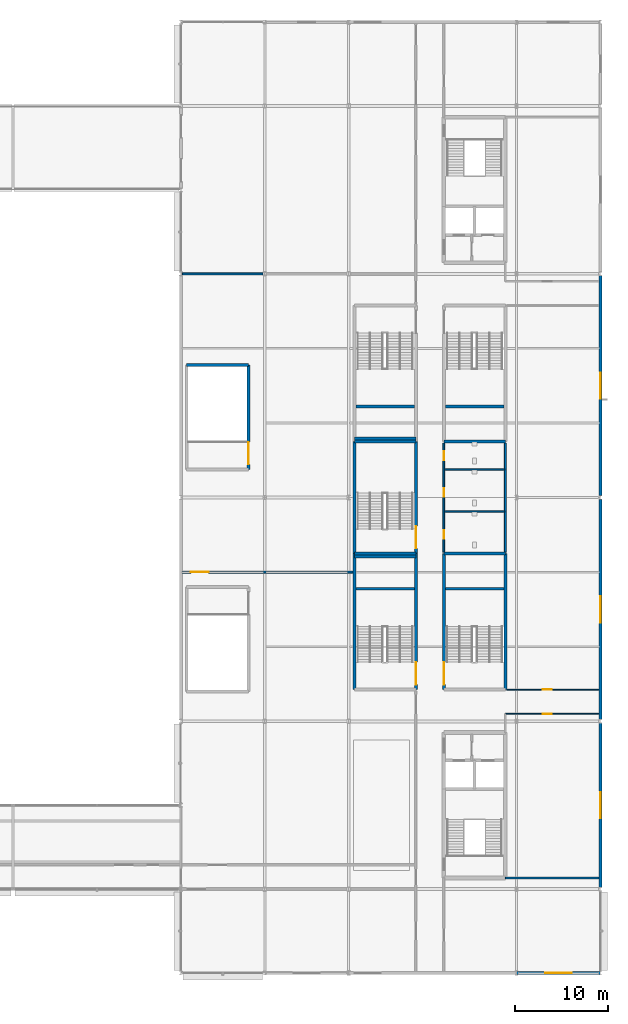
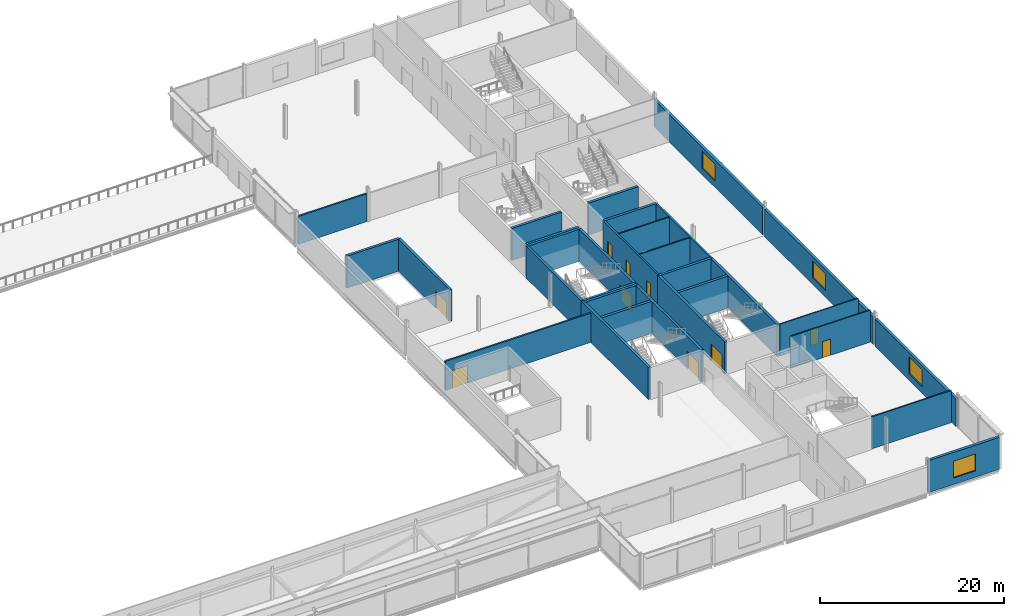
# One storey, part 44 of 73: 31 walls, 10 doors, 4 windows, 14 openings.
"""IFC4 building model written with IfcOpenShell, lengths in metres."""

from ifc_helpers import new_model, si_unit, direction, frame, frame_2d, origin, place, context, subcontext, project, spatial, rectangle, extrude, material, layer, layer_set, type_object, element, fill, save


model = new_model("IFC4")

# Units and contexts
model_context = context("Model", 3, precision=1e-05, world=origin(), true_north=direction((0.0, 1.0)))
body_context = subcontext(model_context, "Body", "Model", "MODEL_VIEW")
ifc_project = project(units=[si_unit("LENGTHUNIT", "METRE"), si_unit("AREAUNIT", "SQUARE_METRE"), si_unit("VOLUMEUNIT", "CUBIC_METRE"), si_unit("PLANEANGLEUNIT", "RADIAN"), si_unit("MASSUNIT", "GRAM", prefix="KILO")], contexts=[model_context])

# Site, building, storey
site_placement = place(None, origin())
site = spatial("IfcSite", under=ifc_project, at=site_placement, CompositionType="ELEMENT")
building_placement = place(site_placement, origin())
building = spatial("IfcBuilding", under=site, at=building_placement, Name="Kisiwana Market Hall", CompositionType="ELEMENT")
storey_placement = place(building_placement, frame((0.0, 0.0, 33.300048828125)))
storey = spatial("IfcBuildingStorey", under=building, at=storey_placement, Name="L07", CompositionType="ELEMENT", Elevation=33.300048828125)

# Wall
ifc_material_1 = material(Name="Masonry blockwork", Category="masonry")
ifc_layer_1 = layer(ifc_material_1, 0.199951171875, Name="Plastered fire compartment block wall")
ifc_layer_set_1 = layer_set([ifc_layer_1], Name="WL-COMP-200")
wall_type_1 = type_object("IfcWallType", Name="WL-COMP-200", PredefinedType="PARTITIONING", material=ifc_layer_set_1)
wall_1_placement = place(storey_placement, frame((187.800048828125, 54.159912109375, 0.0), z_axis=(0.0, 0.0, 1.0), x_axis=(0.0, 1.0, 0.0)))
element("IfcWall", 1, at=wall_1_placement, inside=storey, type_object=wall_type_1, Name="Interior partition W-2233", PredefinedType="PARTITIONING", context=body_context, shape_type="SweptSolid", body=[
    extrude(rectangle(XDim=11.68017578125, YDim=0.199951171875, at=frame_2d((5.840087890625, 0.0))), origin(), (0.0, 0.0, 1.0), 4.2548828125),
])

# Wall, openings, doors
wall_2_placement = place(storey_placement, frame((181.199951171875, 54.159912109375, 0.0), z_axis=(0.0, 0.0, 1.0), x_axis=(0.0, 1.0, 0.0)))
wall_2 = element("IfcWall", 2, at=wall_2_placement, inside=storey, type_object=wall_type_1, Name="Interior partition W-2234", PredefinedType="PARTITIONING", context=body_context, shape_type="SweptSolid", body=[
    extrude(rectangle(XDim=11.68017578125, YDim=0.199951171875, at=frame_2d((5.840087890625, 0.0))), origin(), (0.0, 0.0, 1.0), 4.2548828125),
])
opening_1_placement = place(wall_2_placement, frame((1.43994140625, 0.0, 0.0)))
opening_1 = element("IfcOpeningElement", 3, at=opening_1_placement, cuts=wall_2, Name="Opening DR-L07-046", PredefinedType="OPENING", context=body_context, shape_type="SweptSolid", body=[
    extrude(rectangle(XDim=0.89990234375, YDim=2.10009765625, at=frame_2d((0.449951171875, 1.050048828125))), frame((0.0, 0.11181640625, 0.0), z_axis=(0.0, -1.0, 0.0), x_axis=(1.0, 0.0, 0.0)), (0.0, 0.0, 1.0), 0.223876953125),
])
opening_2_placement = place(wall_2_placement, frame((5.93994140625, 0.0, 0.0)))
opening_2 = element("IfcOpeningElement", 4, at=opening_2_placement, cuts=wall_2, Name="Opening DR-L07-047", PredefinedType="OPENING", context=body_context, shape_type="SweptSolid", body=[
    extrude(rectangle(XDim=0.89990234375, YDim=2.10009765625, at=frame_2d((0.449951171875, 1.050048828125))), frame((0.0, 0.11181640625, 0.0), z_axis=(0.0, -1.0, 0.0), x_axis=(1.0, 0.0, 0.0)), (0.0, 0.0, 1.0), 0.223876953125),
])
opening_3_placement = place(wall_2_placement, frame((9.840087890625, 0.0, 0.0)))
opening_3 = element("IfcOpeningElement", 5, at=opening_3_placement, cuts=wall_2, Name="Opening DR-L07-048", PredefinedType="OPENING", context=body_context, shape_type="SweptSolid", body=[
    extrude(rectangle(XDim=0.949951171875, YDim=2.10009765625, at=frame_2d((0.47509765625, 1.050048828125))), frame((0.0, 0.11181640625, 0.0), z_axis=(0.0, -1.0, 0.0), x_axis=(1.0, 0.0, 0.0)), (0.0, 0.0, 1.0), 0.223876953125),
])
ifc_material_2 = material(Name="Aluminium alloy 6063-T6", Category="aluminium")
door_type_1 = type_object("IfcDoorType", Name="DR-WC-ACC-950", OperationType="NOTDEFINED", PredefinedType="DOOR", material=ifc_material_2)
door_1_placement = place(opening_3_placement, frame((0.949951171875, 0.0, 0.0), z_axis=(0.0, 0.0, 1.0), x_axis=(-1.0, 0.0, 0.0)))
door_1 = element("IfcDoor", 6, at=door_1_placement, inside=storey, type_object=door_type_1, Name="L07 E Accessible WC Door", OperationType="SINGLE_SWING_LEFT", OverallHeight=2.10009765625, OverallWidth=0.949951171875, PredefinedType="DOOR", context=body_context, shape_type="SweptSolid", body=[
    extrude(rectangle(XDim=0.949951171875, YDim=2.10009765625, at=frame_2d((0.47509765625, 1.050048828125))), frame((0.0, 0.02490234375, 0.0), z_axis=(0.0, -1.0, 0.0), x_axis=(1.0, 0.0, 0.0)), (0.0, 0.0, 1.0), 0.050048828125),
])
fill(opening_3, door_1)
ifc_material_3 = material(Name="Aluminium alloy 6063-T6", Category="aluminium")
door_type_2 = type_object("IfcDoorType", Name="DR-WC-STD-900", OperationType="NOTDEFINED", PredefinedType="DOOR", material=ifc_material_3)
door_2_placement = place(opening_1_placement, frame((0.89990234375, 0.0, 0.0), z_axis=(0.0, 0.0, 1.0), x_axis=(-1.0, 0.0, 0.0)))
door_2 = element("IfcDoor", 7, at=door_2_placement, inside=storey, type_object=door_type_2, Name="L07 E Male Toilet Door", OperationType="SINGLE_SWING_RIGHT", OverallHeight=2.10009765625, OverallWidth=0.89990234375, PredefinedType="DOOR", context=body_context, shape_type="SweptSolid", body=[
    extrude(rectangle(XDim=0.89990234375, YDim=2.10009765625, at=frame_2d((0.449951171875, 1.050048828125))), frame((0.0, 0.02490234375, 0.0), z_axis=(0.0, -1.0, 0.0), x_axis=(1.0, 0.0, 0.0)), (0.0, 0.0, 1.0), 0.050048828125),
])
fill(opening_1, door_2)
door_3_placement = place(opening_2_placement, frame((0.89990234375, 0.0, 0.0), z_axis=(0.0, 0.0, 1.0), x_axis=(-1.0, 0.0, 0.0)))
door_3 = element("IfcDoor", 8, at=door_3_placement, inside=storey, type_object=door_type_2, Name="L07 E Female Toilet Door", OperationType="SINGLE_SWING_LEFT", OverallHeight=2.10009765625, OverallWidth=0.89990234375, PredefinedType="DOOR", context=body_context, shape_type="SweptSolid", body=[
    extrude(rectangle(XDim=0.89990234375, YDim=2.10009765625, at=frame_2d((0.449951171875, 1.050048828125))), frame((0.0, 0.02490234375, 0.0), z_axis=(0.0, -1.0, 0.0), x_axis=(1.0, 0.0, 0.0)), (0.0, 0.0, 1.0), 0.050048828125),
])
fill(opening_2, door_3)

# Wall, opening, door
wall_3_placement = place(storey_placement, frame((153.169921875, 52.0, 0.0), z_axis=(0.0, 0.0, 1.0), x_axis=(1.0, 0.0, 0.0)))
wall_3 = element("IfcWall", 9, at=wall_3_placement, inside=storey, type_object=wall_type_1, Name="Interior partition W-2251", PredefinedType="PARTITIONING", context=body_context, shape_type="SweptSolid", body=[
    extrude(rectangle(XDim=18.27001953125, YDim=0.199951171875, at=frame_2d((9.135009765625, 0.0))), origin(), (0.0, 0.0, 1.0), 3.868408203125),
])
opening_4_placement = place(wall_3_placement, frame((0.909912109375, 0.0, 0.0)))
opening_4 = element("IfcOpeningElement", 10, at=opening_4_placement, cuts=wall_3, Name="Opening DR-L07-056", PredefinedType="OPENING", context=body_context, shape_type="SweptSolid", body=[
    extrude(rectangle(XDim=1.89990234375, YDim=2.35009765625, at=frame_2d((0.949951171875, 1.175048828125))), frame((0.0, 0.11181640625, 0.0), z_axis=(0.0, -1.0, 0.0), x_axis=(1.0, 0.0, 0.0)), (0.0, 0.0, 1.0), 0.223876953125),
])
ifc_material_4 = material(Name="Steel S275", Category="steel")
door_type_3 = type_object("IfcDoorType", Name="DR-HALL-1900", OperationType="DOUBLE_DOOR_SINGLE_SWING", PredefinedType="DOOR", material=ifc_material_4)
door_4_placement = place(opening_4_placement, origin())
door_4 = element("IfcDoor", 11, at=door_4_placement, inside=storey, type_object=door_type_3, Name="L07 E Town-Hall Briefing Room Exit Door", OperationType="DOUBLE_DOOR_SINGLE_SWING", OverallHeight=2.35009765625, OverallWidth=1.89990234375, PredefinedType="DOOR", context=body_context, shape_type="SweptSolid", body=[
    extrude(rectangle(XDim=1.89990234375, YDim=2.35009765625, at=frame_2d((0.949951171875, 1.175048828125))), frame((0.0, 0.02490234375, 0.0), z_axis=(0.0, -1.0, 0.0), x_axis=(1.0, 0.0, 0.0)), (0.0, 0.0, 1.0), 0.050048828125),
])
fill(opening_4, door_4)

# Walls
wall_4_placement = place(storey_placement, frame((153.169921875, 84.0, 0.0), z_axis=(0.0, 0.0, 1.0), x_axis=(1.0, 0.0, 0.0)))
element("IfcWall", 12, at=wall_4_placement, inside=storey, type_object=wall_type_1, Name="Interior partition W-2252", PredefinedType="PARTITIONING", context=body_context, shape_type="SweptSolid", body=[
    extrude(rectangle(XDim=8.630126953125, YDim=0.199951171875, at=frame_2d((4.31494140625, 0.0))), origin(), (0.0, 0.0, 1.0), 3.71484375),
])
ifc_material_5 = material(Name="Concrete C40/50", Category="concrete")
ifc_layer_2 = layer(ifc_material_5, 0.320068359375, Name="Reinforced concrete shaft wall")
ifc_layer_set_2 = layer_set([ifc_layer_2], Name="WL-CORE-320")
wall_type_2 = type_object("IfcWallType", Name="WL-CORE-320", PredefinedType="SHEAR", material=ifc_layer_set_2)
wall_5_placement = place(storey_placement, frame((181.199951171875, 54.0, 0.0), z_axis=(0.0, 0.0, 1.0), x_axis=(1.0, 0.0, 0.0)))
element("IfcWall", 13, at=wall_5_placement, inside=storey, type_object=wall_type_2, Name="Core E3 north shear wall W-2125", PredefinedType="SHEAR", context=body_context, shape_type="SweptSolid", body=[
    extrude(rectangle(XDim=6.60009765625, YDim=0.320068359375, at=frame_2d((3.300048828125, 0.0))), origin(), (0.0, 0.0, 1.0), 4.2548828125),
])

# Wall, opening, door
wall_6_placement = place(storey_placement, frame((181.199951171875, 39.39990234375, 0.0), z_axis=(0.0, 0.0, 1.0), x_axis=(0.0, 1.0, 0.0)))
wall_6 = element("IfcWall", 14, at=wall_6_placement, inside=storey, type_object=wall_type_2, Name="Core E3 corridor shear wall W-2126", PredefinedType="SHEAR", context=body_context, shape_type="SweptSolid", body=[
    extrude(rectangle(XDim=14.60009765625, YDim=0.320068359375, at=frame_2d((7.300048828125, 0.0))), origin(), (0.0, 0.0, 1.0), 4.2548828125),
])
opening_5_placement = place(wall_6_placement, frame((0.550048828125, 0.0, 0.0)))
opening_5 = element("IfcOpeningElement", 15, at=opening_5_placement, cuts=wall_6, Name="Opening DR-L07-015", PredefinedType="OPENING", context=body_context, shape_type="SweptSolid", body=[
    extrude(rectangle(XDim=2.39990234375, YDim=2.25, at=frame_2d((1.199951171875, 1.125))), frame((0.0, 0.171875, 0.0), z_axis=(0.0, -1.0, 0.0), x_axis=(1.0, 0.0, 0.0)), (0.0, 0.0, 1.0), 0.343994140625),
])
ifc_material_6 = material(Name="Steel S275", Category="steel")
door_type_4 = type_object("IfcDoorType", Name="DR-STAIR-FD120-2400", OperationType="DOUBLE_DOOR_SINGLE_SWING", PredefinedType="DOOR", material=ifc_material_6)
door_5_placement = place(opening_5_placement, frame((2.39990234375, 0.0, 0.0), z_axis=(0.0, 0.0, 1.0), x_axis=(-1.0, 0.0, 0.0)))
door_5 = element("IfcDoor", 16, at=door_5_placement, inside=storey, type_object=door_type_4, Name="Escape Stair E3 Fire Door (L07)", OperationType="DOUBLE_DOOR_SINGLE_SWING", OverallHeight=2.25, OverallWidth=2.39990234375, PredefinedType="DOOR", context=body_context, shape_type="SweptSolid", body=[
    extrude(rectangle(XDim=2.39990234375, YDim=2.25, at=frame_2d((1.199951171875, 1.125))), frame((0.0, 0.02490234375, 0.0), z_axis=(0.0, -1.0, 0.0), x_axis=(1.0, 0.0, 0.0)), (0.0, 0.0, 1.0), 0.050048828125),
])
fill(opening_5, door_5)

# Walls
wall_7_placement = place(storey_placement, frame((187.800048828125, 39.39990234375, 0.0), z_axis=(0.0, 0.0, 1.0), x_axis=(0.0, 1.0, 0.0)))
element("IfcWall", 17, at=wall_7_placement, inside=storey, type_object=wall_type_2, Name="Core E3 outer shear wall W-2127", PredefinedType="SHEAR", context=body_context, shape_type="SweptSolid", body=[
    extrude(rectangle(XDim=14.60009765625, YDim=0.320068359375, at=frame_2d((7.300048828125, 0.0))), origin(), (0.0, 0.0, 1.0), 4.2548828125),
])
wall_8_placement = place(storey_placement, frame((181.360107421875, 50.219970703125, 0.0), z_axis=(0.0, 0.0, 1.0), x_axis=(1.0, 0.0, 0.0)))
element("IfcWall", 18, at=wall_8_placement, inside=storey, type_object=wall_type_2, Name="Core E3 riser divider shear wall W-2128", PredefinedType="SHEAR", context=body_context, shape_type="SweptSolid", body=[
    extrude(rectangle(XDim=6.27978515625, YDim=0.320068359375, at=frame_2d((3.139892578125, 0.0))), origin(), (0.0, 0.0, 1.0), 4.2548828125),
])
wall_9_placement = place(storey_placement, frame((181.199951171875, 66.0, 0.0), z_axis=(0.0, 0.0, 1.0), x_axis=(1.0, 0.0, 0.0)))
element("IfcWall", 19, at=wall_9_placement, inside=storey, type_object=wall_type_2, Name="Core E4 south shear wall W-2129", PredefinedType="SHEAR", context=body_context, shape_type="SweptSolid", body=[
    extrude(rectangle(XDim=6.60009765625, YDim=0.320068359375, at=frame_2d((3.300048828125, 0.0))), origin(), (0.0, 0.0, 1.0), 4.2548828125),
])
wall_10_placement = place(storey_placement, frame((181.360107421875, 69.780029296875, 0.0), z_axis=(0.0, 0.0, 1.0), x_axis=(1.0, 0.0, 0.0)))
element("IfcWall", 20, at=wall_10_placement, inside=storey, type_object=wall_type_2, Name="Core E4 riser divider shear wall W-2133", PredefinedType="SHEAR", context=body_context, shape_type="SweptSolid", body=[
    extrude(rectangle(XDim=6.27978515625, YDim=0.320068359375, at=frame_2d((3.139892578125, 0.0))), origin(), (0.0, 0.0, 1.0), 4.2548828125),
])
wall_11_placement = place(storey_placement, frame((171.60009765625, 54.0, 0.0), z_axis=(0.0, 0.0, 1.0), x_axis=(1.0, 0.0, 0.0)))
element("IfcWall", 21, at=wall_11_placement, inside=storey, type_object=wall_type_2, Name="Core E7 north shear wall W-2140", PredefinedType="SHEAR", context=body_context, shape_type="SweptSolid", body=[
    extrude(rectangle(XDim=6.599853515625, YDim=0.320068359375, at=frame_2d((3.2998046875, 0.0))), origin(), (0.0, 0.0, 1.0), 4.2548828125),
])
wall_12_placement = place(storey_placement, frame((171.60009765625, 39.39990234375, 0.0), z_axis=(0.0, 0.0, 1.0), x_axis=(0.0, 1.0, 0.0)))
element("IfcWall", 22, at=wall_12_placement, inside=storey, type_object=wall_type_2, Name="Core E7 outer shear wall W-2141", PredefinedType="SHEAR", context=body_context, shape_type="SweptSolid", body=[
    extrude(rectangle(XDim=14.60009765625, YDim=0.320068359375, at=frame_2d((7.300048828125, 0.0))), origin(), (0.0, 0.0, 1.0), 4.2548828125),
])

# Wall, opening, door
wall_13_placement = place(storey_placement, frame((178.199951171875, 39.39990234375, 0.0), z_axis=(0.0, 0.0, 1.0), x_axis=(0.0, 1.0, 0.0)))
wall_13 = element("IfcWall", 23, at=wall_13_placement, inside=storey, type_object=wall_type_2, Name="Core E7 corridor shear wall W-2142", PredefinedType="SHEAR", context=body_context, shape_type="SweptSolid", body=[
    extrude(rectangle(XDim=14.60009765625, YDim=0.320068359375, at=frame_2d((7.300048828125, 0.0))), origin(), (0.0, 0.0, 1.0), 4.2548828125),
])
opening_6_placement = place(wall_13_placement, frame((0.550048828125, 0.0, 0.0)))
opening_6 = element("IfcOpeningElement", 24, at=opening_6_placement, cuts=wall_13, Name="Opening DR-L07-018", PredefinedType="OPENING", context=body_context, shape_type="SweptSolid", body=[
    extrude(rectangle(XDim=2.39990234375, YDim=2.25, at=frame_2d((1.199951171875, 1.125))), frame((0.0, 0.171875, 0.0), z_axis=(0.0, -1.0, 0.0), x_axis=(1.0, 0.0, 0.0)), (0.0, 0.0, 1.0), 0.343994140625),
])
door_6_placement = place(opening_6_placement, origin())
door_6 = element("IfcDoor", 25, at=door_6_placement, inside=storey, type_object=door_type_4, Name="Escape Stair E7 Fire Door (L07)", OperationType="DOUBLE_DOOR_SINGLE_SWING", OverallHeight=2.25, OverallWidth=2.39990234375, PredefinedType="DOOR", context=body_context, shape_type="SweptSolid", body=[
    extrude(rectangle(XDim=2.39990234375, YDim=2.25, at=frame_2d((1.199951171875, 1.125))), frame((0.0, 0.02490234375, 0.0), z_axis=(0.0, -1.0, 0.0), x_axis=(1.0, 0.0, 0.0)), (0.0, 0.0, 1.0), 0.050048828125),
])
fill(opening_6, door_6)

# Walls
wall_14_placement = place(storey_placement, frame((171.760009765625, 50.219970703125, 0.0), z_axis=(0.0, 0.0, 1.0), x_axis=(1.0, 0.0, 0.0)))
element("IfcWall", 26, at=wall_14_placement, inside=storey, type_object=wall_type_2, Name="Core E7 riser divider shear wall W-2143", PredefinedType="SHEAR", context=body_context, shape_type="SweptSolid", body=[
    extrude(rectangle(XDim=6.280029296875, YDim=0.320068359375, at=frame_2d((3.14013671875, 0.0))), origin(), (0.0, 0.0, 1.0), 4.2548828125),
])
wall_15_placement = place(storey_placement, frame((171.60009765625, 66.0, 0.0), z_axis=(0.0, 0.0, 1.0), x_axis=(1.0, 0.0, 0.0)))
element("IfcWall", 27, at=wall_15_placement, inside=storey, type_object=wall_type_2, Name="Core E8 south shear wall W-2149", PredefinedType="SHEAR", context=body_context, shape_type="SweptSolid", body=[
    extrude(rectangle(XDim=6.599853515625, YDim=0.320068359375, at=frame_2d((3.2998046875, 0.0))), origin(), (0.0, 0.0, 1.0), 4.2548828125),
])
wall_16_placement = place(storey_placement, frame((171.760009765625, 69.780029296875, 0.0), z_axis=(0.0, 0.0, 1.0), x_axis=(1.0, 0.0, 0.0)))
element("IfcWall", 28, at=wall_16_placement, inside=storey, type_object=wall_type_2, Name="Core E8 riser divider shear wall W-2153", PredefinedType="SHEAR", context=body_context, shape_type="SweptSolid", body=[
    extrude(rectangle(XDim=6.280029296875, YDim=0.320068359375, at=frame_2d((3.14013671875, 0.0))), origin(), (0.0, 0.0, 1.0), 4.2548828125),
])
wall_17_placement = place(storey_placement, frame((153.6298828125, 74.199951171875, 0.0), z_axis=(0.0, 0.0, 1.0), x_axis=(1.0, 0.0, 0.0)))
element("IfcWall", 29, at=wall_17_placement, inside=storey, type_object=wall_type_2, Name="Core E10 north shear wall W-2167", PredefinedType="SHEAR", context=body_context, shape_type="SweptSolid", body=[
    extrude(rectangle(XDim=6.60009765625, YDim=0.320068359375, at=frame_2d((3.300048828125, 0.0))), origin(), (0.0, 0.0, 1.0), 4.2548828125),
])

# Wall, opening, door
wall_18_placement = place(storey_placement, frame((160.22998046875, 63.0, 0.0), z_axis=(0.0, 0.0, 1.0), x_axis=(0.0, 1.0, 0.0)))
wall_18 = element("IfcWall", 30, at=wall_18_placement, inside=storey, type_object=wall_type_2, Name="Core E10 corridor shear wall W-2169", PredefinedType="SHEAR", context=body_context, shape_type="SweptSolid", body=[
    extrude(rectangle(XDim=11.199951171875, YDim=0.320068359375, at=frame_2d((5.60009765625, 0.0))), origin(), (0.0, 0.0, 1.0), 4.2548828125),
])
opening_7_placement = place(wall_18_placement, frame((0.550048828125, 0.0, 0.0)))
opening_7 = element("IfcOpeningElement", 31, at=opening_7_placement, cuts=wall_18, Name="Opening DR-L07-024", PredefinedType="OPENING", context=body_context, shape_type="SweptSolid", body=[
    extrude(rectangle(XDim=2.39990234375, YDim=2.25, at=frame_2d((1.199951171875, 1.125))), frame((0.0, 0.171875, 0.0), z_axis=(0.0, -1.0, 0.0), x_axis=(1.0, 0.0, 0.0)), (0.0, 0.0, 1.0), 0.343994140625),
])
door_7_placement = place(opening_7_placement, origin())
door_7 = element("IfcDoor", 32, at=door_7_placement, inside=storey, type_object=door_type_4, Name="Escape Stair E10 Fire Door (L07)", OperationType="DOUBLE_DOOR_SINGLE_SWING", OverallHeight=2.25, OverallWidth=2.39990234375, PredefinedType="DOOR", context=body_context, shape_type="SweptSolid", body=[
    extrude(rectangle(XDim=2.39990234375, YDim=2.25, at=frame_2d((1.199951171875, 1.125))), frame((0.0, 0.02490234375, 0.0), z_axis=(0.0, -1.0, 0.0), x_axis=(1.0, 0.0, 0.0)), (0.0, 0.0, 1.0), 0.050048828125),
])
fill(opening_7, door_7)

# Walls
for number, where, z_axis, x_axis, name in (
    (33, (171.60009765625, 53.679931640625, 0.0), (0.0, 0.0, 1.0), (1.0, 0.0, 0.0), "Core E5 south shear wall W-2174"),
    (34, (171.60009765625, 66.320068359375, 0.0), (0.0, 0.0, 1.0), (1.0, 0.0, 0.0), "Core E5 north shear wall W-2175"),
):
    element("IfcWall", number, at=place(storey_placement, frame(where, z_axis=z_axis, x_axis=x_axis)), inside=storey, type_object=wall_type_2, Name=name, PredefinedType="SHEAR", context=body_context, shape_type="SweptSolid", body=[
        extrude(rectangle(XDim=6.599853515625, YDim=0.320068359375, at=frame_2d((3.2998046875, 0.0))), origin(), (0.0, 0.0, 1.0), 4.2548828125),
    ])
wall_19_placement = place(storey_placement, frame((171.60009765625, 54.0, 0.0), z_axis=(0.0, 0.0, 1.0), x_axis=(0.0, 1.0, 0.0)))
element("IfcWall", 35, at=wall_19_placement, inside=storey, type_object=wall_type_2, Name="Core E5 outer shear wall W-2176", PredefinedType="SHEAR", context=body_context, shape_type="SweptSolid", body=[
    extrude(rectangle(XDim=12.0, YDim=0.320068359375, at=frame_2d((6.0, 0.0))), origin(), (0.0, 0.0, 1.0), 4.2548828125),
])

# Wall, opening, door
wall_20_placement = place(storey_placement, frame((178.199951171875, 54.0, 0.0), z_axis=(0.0, 0.0, 1.0), x_axis=(0.0, 1.0, 0.0)))
wall_20 = element("IfcWall", 36, at=wall_20_placement, inside=storey, type_object=wall_type_2, Name="Core E5 corridor shear wall W-2177", PredefinedType="SHEAR", context=body_context, shape_type="SweptSolid", body=[
    extrude(rectangle(XDim=12.0, YDim=0.320068359375, at=frame_2d((6.0, 0.0))), origin(), (0.0, 0.0, 1.0), 4.2548828125),
])
opening_8_placement = place(wall_20_placement, frame((0.550048828125, 0.0, 0.0)))
opening_8 = element("IfcOpeningElement", 37, at=opening_8_placement, cuts=wall_20, Name="Opening DR-L07-026", PredefinedType="OPENING", context=body_context, shape_type="SweptSolid", body=[
    extrude(rectangle(XDim=2.39990234375, YDim=2.25, at=frame_2d((1.199951171875, 1.125))), frame((0.0, 0.171875, 0.0), z_axis=(0.0, -1.0, 0.0), x_axis=(1.0, 0.0, 0.0)), (0.0, 0.0, 1.0), 0.343994140625),
])
door_8_placement = place(opening_8_placement, origin())
door_8 = element("IfcDoor", 38, at=door_8_placement, inside=storey, type_object=door_type_4, Name="Escape Stair E5 Fire Door (L07)", OperationType="DOUBLE_DOOR_SINGLE_SWING", OverallHeight=2.25, OverallWidth=2.39990234375, PredefinedType="DOOR", context=body_context, shape_type="SweptSolid", body=[
    extrude(rectangle(XDim=2.39990234375, YDim=2.25, at=frame_2d((1.199951171875, 1.125))), frame((0.0, 0.02490234375, 0.0), z_axis=(0.0, -1.0, 0.0), x_axis=(1.0, 0.0, 0.0)), (0.0, 0.0, 1.0), 0.050048828125),
])
fill(opening_8, door_8)

# Wall
ifc_material_7 = material(Name="Masonry blockwork", Category="masonry")
ifc_layer_3 = layer(ifc_material_7, 0.169921875, Name="Protected corridor partition")
ifc_layer_set_3 = layer_set([ifc_layer_3], Name="WL-CORR-170")
wall_type_3 = type_object("IfcWallType", Name="WL-CORR-170", PredefinedType="PARTITIONING", material=ifc_layer_set_3)
wall_21_placement = place(storey_placement, frame((187.800048828125, 19.199951171875, 0.0), z_axis=(0.0, 0.0, 1.0), x_axis=(1.0, 0.0, 0.0)))
element("IfcWall", 39, at=wall_21_placement, inside=storey, type_object=wall_type_3, Name="Interior partition W-2239", PredefinedType="PARTITIONING", context=body_context, shape_type="SweptSolid", body=[
    extrude(rectangle(XDim=10.030029296875, YDim=0.169921875, at=frame_2d((5.01513671875, 0.0))), origin(), (0.0, 0.0, 1.0), 4.2548828125),
])

# Wall, opening, window
ifc_material_8 = material(Name="Concrete C40/50 precast", Category="concrete")
ifc_layer_4 = layer(ifc_material_8, 0.14990234375, Name="Precast architectural concrete spandrel")
ifc_material_9 = material(Name="Mineral wool insulation")
ifc_layer_5 = layer(ifc_material_9, 0.090087890625, Name="Rockwool thermal insulation")
ifc_material_10 = material(Name="Masonry blockwork", Category="masonry")
ifc_layer_6 = layer(ifc_material_10, 0.10009765625, Name="Inner masonry block leaf")
ifc_layer_set_4 = layer_set([ifc_layer_4, ifc_layer_5, ifc_layer_6], Name="WL-EXT-PREC-340")
wall_type_4 = type_object("IfcWallType", Name="WL-EXT-PREC-340", PredefinedType="STANDARD", material=ifc_layer_set_4)
wall_22_placement = place(storey_placement, frame((189.010009765625, 9.0, 0.0), z_axis=(0.0, 0.0, 1.0), x_axis=(1.0, 0.0, 0.0)))
wall_22 = element("IfcWall", 40, at=wall_22_placement, inside=storey, type_object=wall_type_4, Name="Exterior wall W-2182", PredefinedType="STANDARD", context=body_context, shape_type="SweptSolid", body=[
    extrude(rectangle(XDim=8.97998046875, YDim=0.340087890625, at=frame_2d((4.489990234375, 0.0))), origin(), (0.0, 0.0, 1.0), 4.2548828125),
])
opening_9_placement = place(wall_22_placement, frame((3.090087890625, 0.0, 0.85009765625)))
opening_9 = element("IfcOpeningElement", 41, at=opening_9_placement, cuts=wall_22, Name="Opening WN-03", PredefinedType="OPENING", context=body_context, shape_type="SweptSolid", body=[
    extrude(rectangle(XDim=2.800048828125, YDim=2.25, at=frame_2d((1.39990234375, 1.125))), frame((0.0, 0.18212890625, 0.0), z_axis=(0.0, -1.0, 0.0), x_axis=(1.0, 0.0, 0.0)), (0.0, 0.0, 1.0), 0.364013671875),
])
ifc_material_11 = material(Name="Double-glazed solar-control low-E IGU", Category="glass")
window_type = type_object("IfcWindowType", Name="WN-SKYB-2800x2250", PartitioningType="SINGLE_PANEL", PredefinedType="WINDOW", material=ifc_material_11)
window_1_placement = place(opening_9_placement, origin())
window_1 = element("IfcWindow", 42, at=window_1_placement, inside=storey, type_object=window_type, Name="Exterior window WN-214", OverallHeight=2.25, OverallWidth=2.800048828125, PartitioningType="SINGLE_PANEL", PredefinedType="WINDOW", context=body_context, shape_type="SweptSolid", body=[
    extrude(rectangle(XDim=2.800048828125, YDim=2.25, at=frame_2d((1.39990234375, 1.125))), frame((0.0, 0.030029296875, 0.0), z_axis=(0.0, -1.0, 0.0), x_axis=(1.0, 0.0, 0.0)), (0.0, 0.0, 1.0), 0.06005859375),
])
fill(opening_9, window_1)

wall_23_placement = place(storey_placement, frame((198.0, 18.197998046875, 0.0), z_axis=(0.0, 0.0, 1.0), x_axis=(0.0, 1.0, 0.0)))
wall_23 = element("IfcWall", 43, at=wall_23_placement, inside=storey, type_object=wall_type_4, Name="Exterior wall W-2199", PredefinedType="STANDARD", context=body_context, shape_type="SweptSolid", body=[
    extrude(rectangle(XDim=17.60400390625, YDim=0.340087890625, at=frame_2d((8.802001953125, 0.0))), origin(), (0.0, 0.0, 1.0), 3.642822265625),
])
opening_10_placement = place(wall_23_placement, frame((7.402099609375, 0.0, 0.85009765625)))
opening_10 = element("IfcOpeningElement", 44, at=opening_10_placement, cuts=wall_23, Name="Opening WN-03", PredefinedType="OPENING", context=body_context, shape_type="SweptSolid", body=[
    extrude(rectangle(XDim=2.800048828125, YDim=2.25, at=frame_2d((1.39990234375, 1.125))), frame((0.0, 0.18212890625, 0.0), z_axis=(0.0, -1.0, 0.0), x_axis=(1.0, 0.0, 0.0)), (0.0, 0.0, 1.0), 0.364013671875),
])
window_2_placement = place(opening_10_placement, origin())
window_2 = element("IfcWindow", 45, at=window_2_placement, inside=storey, type_object=window_type, Name="Exterior window WN-223", OverallHeight=2.25, OverallWidth=2.800048828125, PartitioningType="SINGLE_PANEL", PredefinedType="WINDOW", context=body_context, shape_type="SweptSolid", body=[
    extrude(rectangle(XDim=2.800048828125, YDim=2.25, at=frame_2d((1.39990234375, 1.125))), frame((0.0, 0.030029296875, 0.0), z_axis=(0.0, -1.0, 0.0), x_axis=(1.0, 0.0, 0.0)), (0.0, 0.0, 1.0), 0.06005859375),
])
fill(opening_10, window_2)

wall_24_placement = place(storey_placement, frame((198.0, 36.197998046875, 0.0), z_axis=(0.0, 0.0, 1.0), x_axis=(0.0, 1.0, 0.0)))
wall_24 = element("IfcWall", 46, at=wall_24_placement, inside=storey, type_object=wall_type_4, Name="Exterior wall W-2200", PredefinedType="STANDARD", context=body_context, shape_type="SweptSolid", body=[
    extrude(rectangle(XDim=23.60400390625, YDim=0.340087890625, at=frame_2d((11.802001953125, 0.0))), origin(), (0.0, 0.0, 1.0), 3.642822265625),
])
opening_11_placement = place(wall_24_placement, frame((10.402099609375, 0.0, 0.85009765625)))
opening_11 = element("IfcOpeningElement", 47, at=opening_11_placement, cuts=wall_24, Name="Opening WN-03", PredefinedType="OPENING", context=body_context, shape_type="SweptSolid", body=[
    extrude(rectangle(XDim=2.800048828125, YDim=2.25, at=frame_2d((1.39990234375, 1.125))), frame((0.0, 0.18212890625, 0.0), z_axis=(0.0, -1.0, 0.0), x_axis=(1.0, 0.0, 0.0)), (0.0, 0.0, 1.0), 0.364013671875),
])
window_3_placement = place(opening_11_placement, origin())
window_3 = element("IfcWindow", 48, at=window_3_placement, inside=storey, type_object=window_type, Name="Exterior window WN-224", OverallHeight=2.25, OverallWidth=2.800048828125, PartitioningType="SINGLE_PANEL", PredefinedType="WINDOW", context=body_context, shape_type="SweptSolid", body=[
    extrude(rectangle(XDim=2.800048828125, YDim=2.25, at=frame_2d((1.39990234375, 1.125))), frame((0.0, 0.030029296875, 0.0), z_axis=(0.0, -1.0, 0.0), x_axis=(1.0, 0.0, 0.0)), (0.0, 0.0, 1.0), 0.06005859375),
])
fill(opening_11, window_3)

wall_25_placement = place(storey_placement, frame((198.0, 60.197998046875, 0.0), z_axis=(0.0, 0.0, 1.0), x_axis=(0.0, 1.0, 0.0)))
wall_25 = element("IfcWall", 49, at=wall_25_placement, inside=storey, type_object=wall_type_4, Name="Exterior wall W-2201", PredefinedType="STANDARD", context=body_context, shape_type="SweptSolid", body=[
    extrude(rectangle(XDim=23.60400390625, YDim=0.340087890625, at=frame_2d((11.802001953125, 0.0))), origin(), (0.0, 0.0, 1.0), 3.642822265625),
])
opening_12_placement = place(wall_25_placement, frame((10.402099609375, 0.0, 0.85009765625)))
opening_12 = element("IfcOpeningElement", 50, at=opening_12_placement, cuts=wall_25, Name="Opening WN-03", PredefinedType="OPENING", context=body_context, shape_type="SweptSolid", body=[
    extrude(rectangle(XDim=2.800048828125, YDim=2.25, at=frame_2d((1.39990234375, 1.125))), frame((0.0, 0.18212890625, 0.0), z_axis=(0.0, -1.0, 0.0), x_axis=(1.0, 0.0, 0.0)), (0.0, 0.0, 1.0), 0.364013671875),
])
window_4_placement = place(opening_12_placement, origin())
window_4 = element("IfcWindow", 51, at=window_4_placement, inside=storey, type_object=window_type, Name="Exterior window WN-225", OverallHeight=2.25, OverallWidth=2.800048828125, PartitioningType="SINGLE_PANEL", PredefinedType="WINDOW", context=body_context, shape_type="SweptSolid", body=[
    extrude(rectangle(XDim=2.800048828125, YDim=2.25, at=frame_2d((1.39990234375, 1.125))), frame((0.0, 0.030029296875, 0.0), z_axis=(0.0, -1.0, 0.0), x_axis=(1.0, 0.0, 0.0)), (0.0, 0.0, 1.0), 0.06005859375),
])
fill(opening_12, window_4)

# Wall, opening, door
ifc_material_12 = material(Name="Gypsum plasterboard")
ifc_layer_7 = layer(ifc_material_12, 0.125, Name="Double gypsum board + acoustic stud")
ifc_layer_set_5 = layer_set([ifc_layer_7], Name="WL-OFF-125")
wall_type_5 = type_object("IfcWallType", Name="WL-OFF-125", PredefinedType="PARTITIONING", material=ifc_layer_set_5)
wall_26_placement = place(storey_placement, frame((187.800048828125, 36.800048828125, 0.0), z_axis=(0.0, 0.0, 1.0), x_axis=(1.0, 0.0, 0.0)))
wall_26 = element("IfcWall", 52, at=wall_26_placement, inside=storey, type_object=wall_type_5, Name="Interior partition W-2241", PredefinedType="PARTITIONING", context=body_context, shape_type="SweptSolid", body=[
    extrude(rectangle(XDim=10.030029296875, YDim=0.125, at=frame_2d((5.01513671875, 0.0))), origin(), (0.0, 0.0, 1.0), 4.2548828125),
])
opening_13_placement = place(wall_26_placement, frame((4.0, 0.0, 0.0)))
opening_13 = element("IfcOpeningElement", 53, at=opening_13_placement, cuts=wall_26, Name="Opening DR-L07-049", PredefinedType="OPENING", context=body_context, shape_type="SweptSolid", body=[
    extrude(rectangle(XDim=1.0, YDim=2.14990234375, at=frame_2d((0.5, 1.074951171875))), frame((0.0, 0.074462890625, 0.0), z_axis=(0.0, -1.0, 0.0), x_axis=(1.0, 0.0, 0.0)), (0.0, 0.0, 1.0), 0.14892578125),
])
ifc_material_13 = material(Name="Aluminium alloy 6063-T6", Category="aluminium")
door_type_5 = type_object("IfcDoorType", Name="DR-OFF-1000", OperationType="NOTDEFINED", PredefinedType="DOOR", material=ifc_material_13)
door_9_placement = place(opening_13_placement, frame((1.0, 0.0, 0.0), z_axis=(0.0, 0.0, 1.0), x_axis=(-1.0, 0.0, 0.0)))
door_9 = element("IfcDoor", 54, at=door_9_placement, inside=storey, type_object=door_type_5, Name="L07 E Commercial Office South Door", OperationType="SINGLE_SWING_RIGHT", OverallHeight=2.14990234375, OverallWidth=1.0, PredefinedType="DOOR", context=body_context, shape_type="SweptSolid", body=[
    extrude(rectangle(XDim=1.0, YDim=2.14990234375, at=frame_2d((0.5, 1.074951171875))), frame((0.0, 0.02490234375, 0.0), z_axis=(0.0, -1.0, 0.0), x_axis=(1.0, 0.0, 0.0)), (0.0, 0.0, 1.0), 0.050048828125),
])
fill(opening_13, door_9)

wall_27_placement = place(storey_placement, frame((187.9599609375, 39.39990234375, 0.0), z_axis=(0.0, 0.0, 1.0), x_axis=(1.0, 0.0, 0.0)))
wall_27 = element("IfcWall", 55, at=wall_27_placement, inside=storey, type_object=wall_type_5, Name="Interior partition W-2242", PredefinedType="PARTITIONING", context=body_context, shape_type="SweptSolid", body=[
    extrude(rectangle(XDim=9.8701171875, YDim=0.125, at=frame_2d((4.93505859375, 0.0))), origin(), (0.0, 0.0, 1.0), 4.2548828125),
])
opening_14_placement = place(wall_27_placement, frame((3.840087890625, 0.0, 0.0)))
opening_14 = element("IfcOpeningElement", 56, at=opening_14_placement, cuts=wall_27, Name="Opening DR-L07-050", PredefinedType="OPENING", context=body_context, shape_type="SweptSolid", body=[
    extrude(rectangle(XDim=1.0, YDim=2.14990234375, at=frame_2d((0.5, 1.074951171875))), frame((0.0, 0.074462890625, 0.0), z_axis=(0.0, -1.0, 0.0), x_axis=(1.0, 0.0, 0.0)), (0.0, 0.0, 1.0), 0.14892578125),
])
door_10_placement = place(opening_14_placement, origin())
door_10 = element("IfcDoor", 57, at=door_10_placement, inside=storey, type_object=door_type_5, Name="L07 E Commercial Office Central Door", OperationType="SINGLE_SWING_LEFT", OverallHeight=2.14990234375, OverallWidth=1.0, PredefinedType="DOOR", context=body_context, shape_type="SweptSolid", body=[
    extrude(rectangle(XDim=1.0, YDim=2.14990234375, at=frame_2d((0.5, 1.074951171875))), frame((0.0, 0.02490234375, 0.0), z_axis=(0.0, -1.0, 0.0), x_axis=(1.0, 0.0, 0.0)), (0.0, 0.0, 1.0), 0.050048828125),
])
fill(opening_14, door_10)

# Walls
ifc_material_14 = material(Name="Masonry blockwork", Category="masonry")
ifc_layer_8 = layer(ifc_material_14, 0.14990234375, Name="Water-resistant sanitary block wall")
ifc_layer_set_6 = layer_set([ifc_layer_8], Name="WL-WET-150")
wall_type_6 = type_object("IfcWallType", Name="WL-WET-150", PredefinedType="PARTITIONING", material=ifc_layer_set_6)
for number, where, z_axis, x_axis, name in (
    (58, (181.284912109375, 58.5, 0.0), (0.0, 0.0, 1.0), (1.0, 0.0, 0.0), "Interior partition W-2235"),
    (59, (181.284912109375, 63.0, 0.0), (0.0, 0.0, 1.0), (1.0, 0.0, 0.0), "Interior partition W-2236"),
):
    element("IfcWall", number, at=place(storey_placement, frame(where, z_axis=z_axis, x_axis=x_axis)), inside=storey, type_object=wall_type_6, Name=name, PredefinedType="PARTITIONING", context=body_context, shape_type="SweptSolid", body=[
        extrude(rectangle(XDim=6.43017578125, YDim=0.14990234375, at=frame_2d((3.215087890625, 0.0))), origin(), (0.0, 0.0, 1.0), 4.2548828125),
    ])

save(model, "model.ifc")
